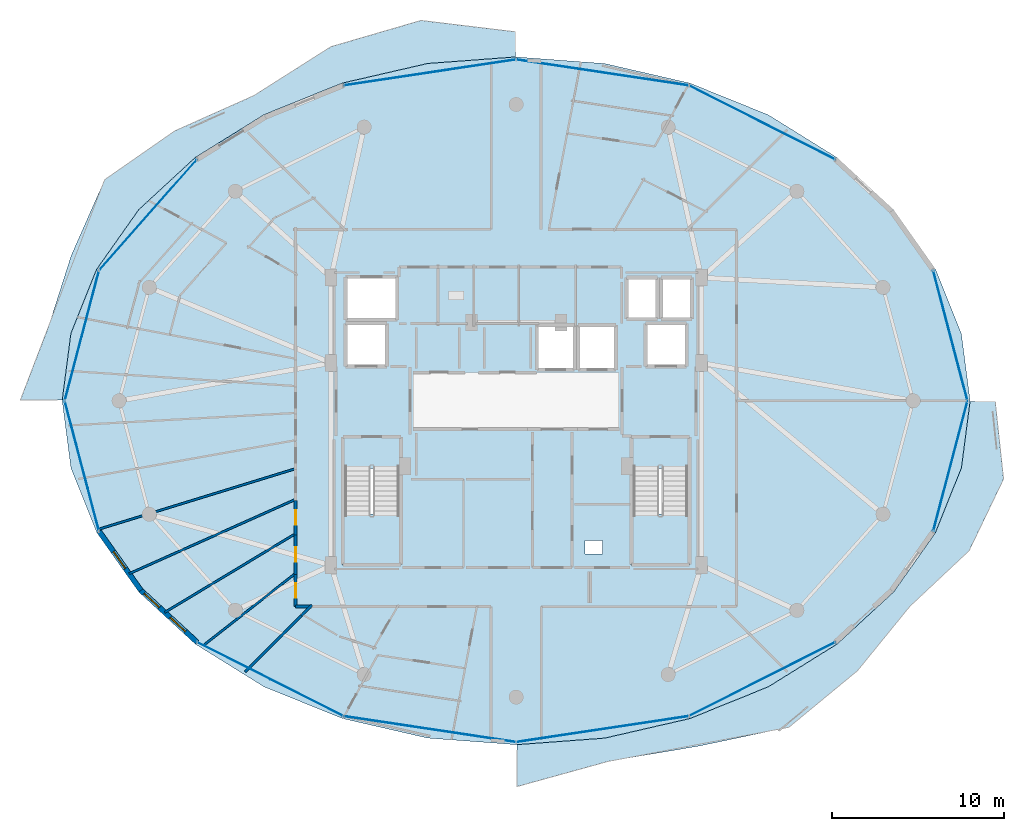
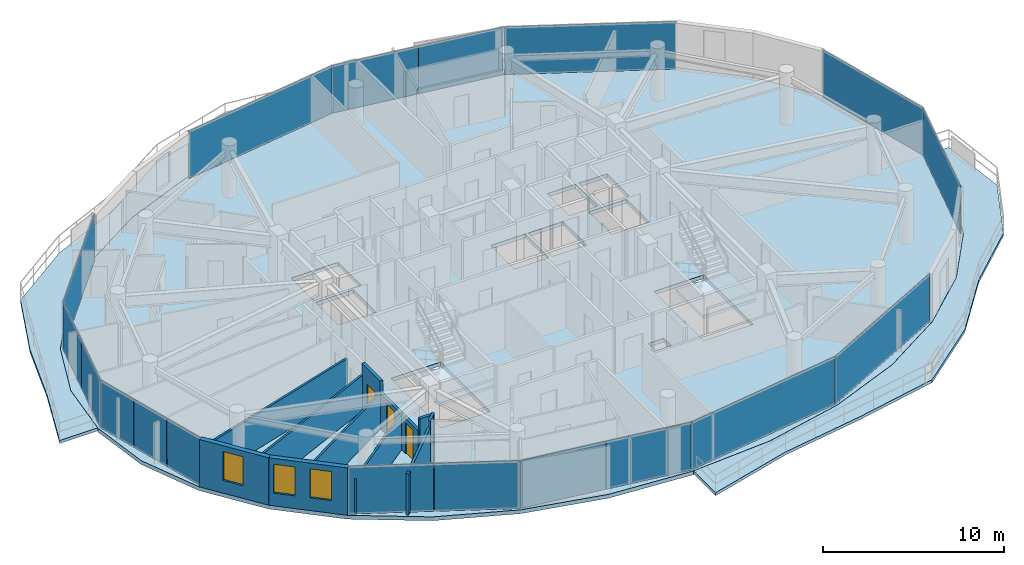
# One storey, part 16 of 25: 18 plates, 12 walls, 5 slabs, 3 doors, 3 windows, 6 openings, 6 elements without a shape of their own.
"""IFC4 building model written with IfcOpenShell, lengths in metres."""

from ifc_helpers import new_model, si_unit, direction, frame, frame_2d, origin, origin_2d, place, context, subcontext, project, spatial, polyline, rectangle, outline, extrude, material, layer, layer_set, type_object, element, fill, aggregate, save


model = new_model("IFC4")

# Units and contexts
model_context = context("Model", 3, precision=1e-05, world=origin(), true_north=direction((0.0, 1.0)))
body_context = subcontext(model_context, "Body", "Model", "MODEL_VIEW")
ifc_project = project(units=[si_unit("LENGTHUNIT", "METRE"), si_unit("AREAUNIT", "SQUARE_METRE"), si_unit("VOLUMEUNIT", "CUBIC_METRE"), si_unit("PLANEANGLEUNIT", "RADIAN"), si_unit("MASSUNIT", "GRAM", prefix="KILO")], contexts=[model_context])

# Site, building, storey
site_placement = place(None, origin())
site = spatial("IfcSite", under=ifc_project, at=site_placement, CompositionType="ELEMENT")
building_placement = place(site_placement, origin())
building = spatial("IfcBuilding", under=site, at=building_placement, Name="Vorneva Point Tower", CompositionType="ELEMENT")
storey_placement = place(building_placement, frame((0.0, 0.0, 276.85009765625)))
storey = spatial("IfcBuildingStorey", under=building, at=storey_placement, Name="L75", CompositionType="ELEMENT", Elevation=276.85009765625)

# Curtain wall, plates
ifc_material_1 = material(Name="Pale anodised aluminium", Category="aluminium")
curtain_wall_type = type_object("IfcCurtainWallType", Name="CW-RES-SYS", PredefinedType="NOTDEFINED", material=ifc_material_1)
curtain_wall_1_placement = place(storey_placement, origin())
curtain_wall_1 = element("IfcCurtainWall", 1, at=curtain_wall_1_placement, inside=storey, type_object=curtain_wall_type, Name="L75 Unitised Curtain Wall CW-L75-R01", PredefinedType="NOTDEFINED")
ifc_material_2 = material(Name="Double low-e laminated glass IGU", Category="glass")
ifc_layer_1 = layer(ifc_material_2, 0.035888671875)
ifc_layer_set_1 = layer_set([ifc_layer_1], Name="Double low-e laminated glass IGU")
plate_type = type_object("IfcPlateType", Name="CW-PNL-VIS", PredefinedType="CURTAIN_PANEL", material=ifc_layer_set_1)
plate_1_placement = place(storey_placement, frame((63.202880859375, 22.20947265625, -0.02001953125), z_axis=(0.0, 0.0, 1.0), x_axis=(0.254416284022, 0.967094801157, 0.0)))
plate_1 = element("IfcPlate", 2, at=plate_1_placement, type_object=plate_type, Name="CW-L75-R01 Glazed Panel 01", PredefinedType="CURTAIN_PANEL", context=body_context, shape_type="SweptSolid", body=[
    extrude(rectangle(XDim=7.7890625, YDim=0.035888671875, at=origin_2d()), origin(), (0.0, 0.0, 1.0), 3.22998046875),
])
plate_2_placement = place(storey_placement, frame((63.202880859375, 29.79052734375, -0.02001953125), z_axis=(0.0, 0.0, 1.0), x_axis=(-0.254416284022, 0.967094801157, 0.0)))
plate_2 = element("IfcPlate", 3, at=plate_2_placement, type_object=plate_type, Name="CW-L75-R01 Glazed Panel 02", PredefinedType="CURTAIN_PANEL", context=body_context, shape_type="SweptSolid", body=[
    extrude(rectangle(XDim=7.7890625, YDim=0.035888671875, at=origin_2d()), origin(), (0.0, 0.0, 1.0), 3.22998046875),
])
aggregate(curtain_wall_1, [plate_1, plate_2])

curtain_wall_2_placement = place(storey_placement, origin())
curtain_wall_2 = element("IfcCurtainWall", 4, at=curtain_wall_2_placement, inside=storey, type_object=curtain_wall_type, Name="L75 Unitised Curtain Wall CW-L75-R02", PredefinedType="NOTDEFINED")
plate_3_placement = place(storey_placement, frame((52.2763671875, 42.15478515625, -0.02001953125), z_axis=(0.0, 0.0, 1.0), x_axis=(-0.892554339087, 0.450939853836, 0.0)))
plate_3 = element("IfcPlate", 5, at=plate_3_placement, type_object=plate_type, Name="CW-L75-R02 Glazed Panel 01", PredefinedType="CURTAIN_PANEL", context=body_context, shape_type="SweptSolid", body=[
    extrude(rectangle(XDim=9.47314453125, YDim=0.035888671875, at=origin_2d()), origin(), (0.0, 0.0, 1.0), 3.22998046875),
])
plate_4_placement = place(storey_placement, frame((45.519775390625, 44.67919921875, -0.02001953125), z_axis=(0.0, 0.0, 1.0), x_axis=(-0.988878712919, 0.148724211669, 0.0)))
plate_4 = element("IfcPlate", 6, at=plate_4_placement, type_object=plate_type, Name="CW-L75-R02 Glazed Panel 02A", PredefinedType="CURTAIN_PANEL", context=body_context, shape_type="SweptSolid", body=[
    extrude(rectangle(XDim=5.01953125, YDim=0.035888671875, at=origin_2d()), origin(), (0.0, 0.0, 1.0), 3.22998046875),
])
plate_5_placement = place(storey_placement, frame((40.506591796875, 45.43310546875, -0.02001953125), z_axis=(0.0, 0.0, 1.0), x_axis=(-0.988878712919, 0.148724211669, 0.0)))
plate_5 = element("IfcPlate", 7, at=plate_5_placement, type_object=plate_type, Name="CW-L75-R02 Glazed Panel 02B", PredefinedType="CURTAIN_PANEL", context=body_context, shape_type="SweptSolid", body=[
    extrude(rectangle(XDim=5.01953125, YDim=0.035888671875, at=origin_2d()), origin(), (0.0, 0.0, 1.0), 3.22998046875),
])
plate_6_placement = place(storey_placement, frame((32.98681640625, 45.055908203125, -0.02001953125), z_axis=(0.0, 0.0, 1.0), x_axis=(-0.988878712919, -0.148724211669, 0.0)))
plate_6 = element("IfcPlate", 8, at=plate_6_placement, type_object=plate_type, Name="CW-L75-R02 Glazed Panel 03", PredefinedType="CURTAIN_PANEL", context=body_context, shape_type="SweptSolid", body=[
    extrude(rectangle(XDim=10.089111328125, YDim=0.035888671875, at=origin_2d()), origin(), (0.0, 0.0, 1.0), 3.22998046875),
])
aggregate(curtain_wall_2, [plate_3, plate_4, plate_5, plate_6])

curtain_wall_3_placement = place(storey_placement, origin())
curtain_wall_3 = element("IfcCurtainWall", 9, at=curtain_wall_3_placement, inside=storey, type_object=curtain_wall_type, Name="L75 Unitised Curtain Wall CW-L75-R03", PredefinedType="NOTDEFINED")
plate_7_placement = place(storey_placement, frame((16.634033203125, 36.79443359375, -0.02001953125), z_axis=(0.0, 0.0, 1.0), x_axis=(-0.662188570806, -0.749337238294, 0.0)))
plate_7 = element("IfcPlate", 10, at=plate_7_placement, type_object=plate_type, Name="CW-L75-R03 Glazed Panel 01", PredefinedType="CURTAIN_PANEL", context=body_context, shape_type="SweptSolid", body=[
    extrude(rectangle(XDim=8.526611328125, YDim=0.035888671875, at=origin_2d()), origin(), (0.0, 0.0, 1.0), 3.22998046875),
])
plate_8_placement = place(storey_placement, frame((13.2958984375, 31.685791015625, -0.02001953125), z_axis=(0.0, 0.0, 1.0), x_axis=(-0.254416284022, -0.967094801157, 0.0)))
plate_8 = element("IfcPlate", 11, at=plate_8_placement, type_object=plate_type, Name="CW-L75-R03 Glazed Panel 02A", PredefinedType="CURTAIN_PANEL", context=body_context, shape_type="SweptSolid", body=[
    extrude(rectangle(XDim=3.869384765625, YDim=0.035888671875, at=origin_2d()), origin(), (0.0, 0.0, 1.0), 3.22998046875),
])
plate_9_placement = place(storey_placement, frame((12.298583984375, 27.895263671875, -0.02001953125), z_axis=(0.0, 0.0, 1.0), x_axis=(-0.254416284022, -0.967094801157, 0.0)))
plate_9 = element("IfcPlate", 12, at=plate_9_placement, type_object=plate_type, Name="CW-L75-R03 Glazed Panel 02B", PredefinedType="CURTAIN_PANEL", context=body_context, shape_type="SweptSolid", body=[
    extrude(rectangle(XDim=3.869384765625, YDim=0.035888671875, at=origin_2d()), origin(), (0.0, 0.0, 1.0), 3.22998046875),
])
plate_10_placement = place(storey_placement, frame((12.13232421875, 24.736572265625, -0.02001953125), z_axis=(0.0, 0.0, 1.0), x_axis=(0.254416284022, -0.967094801157, 0.0)))
plate_10 = element("IfcPlate", 13, at=plate_10_placement, type_object=plate_type, Name="CW-L75-R03 Glazed Panel 03A", PredefinedType="CURTAIN_PANEL", context=body_context, shape_type="SweptSolid", body=[
    extrude(rectangle(XDim=2.56298828125, YDim=0.035888671875, at=origin_2d()), origin(), (0.0, 0.0, 1.0), 3.22998046875),
])
plate_11_placement = place(storey_placement, frame((12.797119140625, 22.20947265625, -0.02001953125), z_axis=(0.0, 0.0, 1.0), x_axis=(0.254416284022, -0.967094801157, 0.0)))
plate_11 = element("IfcPlate", 14, at=plate_11_placement, type_object=plate_type, Name="CW-L75-R03 Glazed Panel 03B", PredefinedType="CURTAIN_PANEL", context=body_context, shape_type="SweptSolid", body=[
    extrude(rectangle(XDim=2.56298828125, YDim=0.035888671875, at=origin_2d()), origin(), (0.0, 0.0, 1.0), 3.22998046875),
])
plate_12_placement = place(storey_placement, frame((13.4619140625, 19.6826171875, -0.02001953125), z_axis=(0.0, 0.0, 1.0), x_axis=(0.254416284022, -0.967094801157, 0.0)))
plate_12 = element("IfcPlate", 15, at=plate_12_placement, type_object=plate_type, Name="CW-L75-R03 Glazed Panel 03C", PredefinedType="CURTAIN_PANEL", context=body_context, shape_type="SweptSolid", body=[
    extrude(rectangle(XDim=2.56298828125, YDim=0.035888671875, at=origin_2d()), origin(), (0.0, 0.0, 1.0), 3.22998046875),
])
aggregate(curtain_wall_3, [plate_7, plate_8, plate_9, plate_10, plate_11, plate_12])

curtain_wall_4_placement = place(storey_placement, origin())
curtain_wall_4 = element("IfcCurtainWall", 16, at=curtain_wall_4_placement, inside=storey, type_object=curtain_wall_type, Name="L75 Unitised Curtain Wall CW-L75-R04", PredefinedType="NOTDEFINED")
plate_13_placement = place(storey_placement, frame((21.598876953125, 10.918701171875, -0.02001953125), z_axis=(0.0, 0.0, 1.0), x_axis=(0.892554339087, -0.450939853836, 0.0)))
plate_13 = element("IfcPlate", 17, at=plate_13_placement, type_object=plate_type, Name="CW-L75-R04 Glazed Panel 01A", PredefinedType="CURTAIN_PANEL", context=body_context, shape_type="SweptSolid", body=[
    extrude(rectangle(XDim=4.71142578125, YDim=0.035888671875, at=origin_2d()), origin(), (0.0, 0.0, 1.0), 3.22998046875),
])
plate_14_placement = place(storey_placement, frame((25.8486328125, 8.771484375, -0.02001953125), z_axis=(0.0, 0.0, 1.0), x_axis=(0.892554339087, -0.450939853836, 0.0)))
plate_14 = element("IfcPlate", 18, at=plate_14_placement, type_object=plate_type, Name="CW-L75-R04 Glazed Panel 01B", PredefinedType="CURTAIN_PANEL", context=body_context, shape_type="SweptSolid", body=[
    extrude(rectangle(XDim=4.71142578125, YDim=0.035888671875, at=origin_2d()), origin(), (0.0, 0.0, 1.0), 3.22998046875),
])
plate_15_placement = place(storey_placement, frame((30.480224609375, 7.32080078125, -0.02001953125), z_axis=(0.0, 0.0, 1.0), x_axis=(0.988878712919, -0.148724211669, 0.0)))
plate_15 = element("IfcPlate", 19, at=plate_15_placement, type_object=plate_type, Name="CW-L75-R04 Glazed Panel 02A", PredefinedType="CURTAIN_PANEL", context=body_context, shape_type="SweptSolid", body=[
    extrude(rectangle(XDim=5.01953125, YDim=0.035888671875, at=origin_2d()), origin(), (0.0, 0.0, 1.0), 3.22998046875),
])
plate_16_placement = place(storey_placement, frame((35.493408203125, 6.56689453125, -0.02001953125), z_axis=(0.0, 0.0, 1.0), x_axis=(0.988878712919, -0.148724211669, 0.0)))
plate_16 = element("IfcPlate", 20, at=plate_16_placement, type_object=plate_type, Name="CW-L75-R04 Glazed Panel 02B", PredefinedType="CURTAIN_PANEL", context=body_context, shape_type="SweptSolid", body=[
    extrude(rectangle(XDim=5.01953125, YDim=0.035888671875, at=origin_2d()), origin(), (0.0, 0.0, 1.0), 3.22998046875),
])
plate_17_placement = place(storey_placement, frame((43.01318359375, 6.944091796875, -0.02001953125), z_axis=(0.0, 0.0, 1.0), x_axis=(0.988878712919, 0.148724211669, 0.0)))
plate_17 = element("IfcPlate", 21, at=plate_17_placement, type_object=plate_type, Name="CW-L75-R04 Glazed Panel 03", PredefinedType="CURTAIN_PANEL", context=body_context, shape_type="SweptSolid", body=[
    extrude(rectangle(XDim=10.089111328125, YDim=0.035888671875, at=origin_2d()), origin(), (0.0, 0.0, 1.0), 3.22998046875),
])
plate_18_placement = place(storey_placement, frame((52.2763671875, 9.84521484375, -0.02001953125), z_axis=(0.0, 0.0, 1.0), x_axis=(0.892554339087, 0.450939853836, 0.0)))
plate_18 = element("IfcPlate", 22, at=plate_18_placement, type_object=plate_type, Name="CW-L75-R04 Glazed Panel 04", PredefinedType="CURTAIN_PANEL", context=body_context, shape_type="SweptSolid", body=[
    extrude(rectangle(XDim=9.47314453125, YDim=0.035888671875, at=origin_2d()), origin(), (0.0, 0.0, 1.0), 3.22998046875),
])
aggregate(curtain_wall_4, [plate_13, plate_14, plate_15, plate_16, plate_17, plate_18])

# Slabs
ifc_material_3 = material(Name="Concrete B50 (C40/50)", Category="concrete")
ifc_layer_2 = layer(ifc_material_3, 0.199951171875)
ifc_layer_set_2 = layer_set([ifc_layer_2], Name="Concrete B50 (C40/50)")
slab_type_1 = type_object("IfcSlabType", Name="SLB-BAL-200", PredefinedType="FLOOR", material=ifc_layer_set_2)
slab_1_placement = place(storey_placement, frame((0.0, 0.0, -0.2001953125)))
element("IfcSlab", 23, at=slab_1_placement, inside=storey, type_object=slab_type_1, Name="L75 Cantilevered Wave Balcony NW", PredefinedType="FLOOR", context=body_context, shape_type="SweptSolid", body=[
    extrude(outline(polyline([(9.22412109375, 26.050048828125), (11.652587890625, 26.050048828125), (12.15234375, 29.89453125), (12.15234375, 29.894775390625), (12.152587890625, 29.895263671875), (12.152587890625, 29.8955078125), (13.652099609375, 33.639892578125), (13.65234375, 33.640380859375), (13.652587890625, 33.640625), (16.08740234375, 37.091552734375), (16.087890625, 37.091796875), (16.088134765625, 37.092041015625), (19.364990234375, 40.11669921875), (19.365234375, 40.1171875), (19.365478515625, 40.1171875), (23.358642578125, 42.599609375), (23.35888671875, 42.599609375), (23.359130859375, 42.599853515625), (27.914794921875, 44.4443359375), (27.9150390625, 44.4443359375), (27.915283203125, 44.444580078125), (32.8583984375, 45.580322265625), (32.85888671875, 45.58056640625), (32.859130859375, 45.58056640625), (37.949951171875, 45.960205078125), (37.949951171875, 47.4208984375), (32.482177734375, 48.080078125), (27.252197265625, 46.556884765625), (22.790283203125, 43.723388671875), (18.190185546875, 41.668212890625), (14.113525390625, 38.833251953125), (12.179931640625, 34.4453125), (10.833251953125, 30.241455078125), (9.22412109375, 26.050048828125)])), origin(), (0.0, 0.0, 1.0), 0.2001953125),
])
slab_2_placement = place(storey_placement, frame((0.0, 0.0, -0.2001953125)))
element("IfcSlab", 24, at=slab_2_placement, inside=storey, type_object=slab_type_1, Name="L75 Cantilevered Wave Balcony SE", PredefinedType="FLOOR", context=body_context, shape_type="SweptSolid", body=[
    extrude(outline(polyline([(66.292724609375, 21.462890625), (65.810302734375, 25.949951171875), (64.347412109375, 25.949951171875), (63.84765625, 22.10546875), (63.84765625, 22.105224609375), (63.847412109375, 22.104736328125), (63.847412109375, 22.1044921875), (62.347900390625, 18.360107421875), (62.34765625, 18.359619140625), (62.347412109375, 18.359375), (59.91259765625, 14.908447265625), (59.912109375, 14.908203125), (59.911865234375, 14.907958984375), (56.635009765625, 11.88330078125), (56.634765625, 11.8828125), (56.634521484375, 11.8828125), (52.641357421875, 9.400390625), (52.64111328125, 9.400390625), (52.640869140625, 9.400146484375), (48.085205078125, 7.5556640625), (48.0849609375, 7.5556640625), (48.084716796875, 7.555419921875), (43.1416015625, 6.419677734375), (43.14111328125, 6.41943359375), (43.140869140625, 6.41943359375), (38.050048828125, 6.039794921875), (38.050048828125, 3.60888671875), (43.344482421875, 5.07080078125), (48.58740234375, 5.954345703125), (53.829833984375, 7.051513671875), (57.809814453125, 10.331787109375), (60.856689453125, 14.074951171875), (64.290283203125, 17.297607421875), (66.292724609375, 21.462890625)])), origin(), (0.0, 0.0, 1.0), 0.2001953125),
])

# Stair, slab
stair_type = type_object("IfcStairType", Name="ST-DOG-1500", PredefinedType="HALF_TURN_STAIR", material=ifc_material_3)
stair_1_placement = place(storey_placement, origin())
stair_1 = element("IfcStair", 25, at=stair_1_placement, inside=storey, type_object=stair_type, Name="L75 ST1", PredefinedType="HALF_TURN_STAIR")
ifc_layer_3 = layer(ifc_material_3, 0.199951171875)
ifc_layer_set_3 = layer_set([ifc_layer_3], Name="Concrete B50 (C40/50)")
slab_type_2 = type_object("IfcSlabType", Name="SLB-LND-200", PredefinedType="LANDING", material=ifc_layer_set_3)
slab_3_placement = place(storey_placement, frame((0.0, 0.0, 1.574951171875)))
slab_3 = element("IfcSlab", 26, at=slab_3_placement, type_object=slab_type_2, Name="ST1 landing 1", PredefinedType="LANDING", context=body_context, shape_type="SweptSolid", body=[
    extrude(outline(polyline([(27.929931640625, 16.47998046875), (31.320068359375, 16.47998046875), (31.320068359375, 19.43994140625), (27.929931640625, 19.43994140625), (27.929931640625, 16.47998046875)])), origin(), (0.0, 0.0, 1.0), 0.199951171875),
])
aggregate(stair_1, [slab_3])

stair_2_placement = place(storey_placement, origin())
stair_2 = element("IfcStair", 27, at=stair_2_placement, inside=storey, type_object=stair_type, Name="L75 ST2", PredefinedType="HALF_TURN_STAIR")
slab_4_placement = place(storey_placement, frame((0.0, 0.0, 1.574951171875)))
slab_4 = element("IfcSlab", 28, at=slab_4_placement, type_object=slab_type_2, Name="ST2 landing 1", PredefinedType="LANDING", context=body_context, shape_type="SweptSolid", body=[
    extrude(outline(polyline([(44.679931640625, 16.47998046875), (48.070068359375, 16.47998046875), (48.070068359375, 19.43994140625), (44.679931640625, 19.43994140625), (44.679931640625, 16.47998046875)])), origin(), (0.0, 0.0, 1.0), 0.199951171875),
])
aggregate(stair_2, [slab_4])

# Slab
ifc_layer_4 = layer(ifc_material_3, 0.260009765625)
ifc_layer_set_4 = layer_set([ifc_layer_4], Name="Concrete B50 (C40/50)")
slab_type_3 = type_object("IfcSlabType", Name="SLB-TYP-260", PredefinedType="FLOOR", material=ifc_layer_set_4)
slab_5_placement = place(storey_placement, frame((0.0, 0.0, -0.260009765625)))
element("IfcSlab", 29, at=slab_5_placement, inside=storey, type_object=slab_type_3, Name="L75 Structural Floor Plate", PredefinedType="FLOOR", context=body_context, shape_type="SweptSolid", body=[
    extrude(outline(polyline([(64.35009765625, 26.0), (63.84375, 29.89404296875), (62.34423828125, 33.638427734375), (59.9091796875, 37.089111328125), (56.63232421875, 40.114013671875), (52.639404296875, 42.59619140625), (48.083740234375, 44.440673828125), (43.140625, 45.576416015625), (38.0, 45.9599609375), (32.859375, 45.576416015625), (27.916259765625, 44.440673828125), (23.360595703125, 42.59619140625), (19.36767578125, 40.114013671875), (16.0908203125, 37.089111328125), (13.65576171875, 33.638427734375), (12.15625, 29.89404296875), (11.64990234375, 26.0), (12.15625, 22.10595703125), (13.65576171875, 18.361572265625), (16.0908203125, 14.910888671875), (19.36767578125, 11.885986328125), (23.360595703125, 9.40380859375), (27.916259765625, 7.559326171875), (32.859375, 6.423583984375), (38.0, 6.0400390625), (43.140625, 6.423583984375), (48.083740234375, 7.559326171875), (52.639404296875, 9.40380859375), (56.63232421875, 11.885986328125), (59.9091796875, 14.910888671875), (62.34423828125, 18.361572265625), (63.84375, 22.10595703125), (64.35009765625, 26.0)]), holes=[polyline([(39.199951171875, 27.800048828125), (41.39990234375, 27.800048828125), (41.39990234375, 30.39990234375), (39.199951171875, 30.39990234375), (39.199951171875, 27.800048828125)]), polyline([(41.60009765625, 27.800048828125), (43.800048828125, 27.800048828125), (43.800048828125, 30.39990234375), (41.60009765625, 30.39990234375), (41.60009765625, 27.800048828125)]), polyline([(44.39990234375, 30.739990234375), (46.199951171875, 30.739990234375), (46.199951171875, 33.159912109375), (44.39990234375, 33.159912109375), (44.39990234375, 30.739990234375)]), polyline([(46.39990234375, 30.739990234375), (48.199951171875, 30.739990234375), (48.199951171875, 33.159912109375), (46.39990234375, 33.159912109375), (46.39990234375, 30.739990234375)]), polyline([(28.10009765625, 28.0), (30.5, 28.0), (30.5, 30.5), (28.10009765625, 30.5), (28.10009765625, 28.0)]), polyline([(45.5, 28.0), (47.89990234375, 28.0), (47.89990234375, 30.5), (45.5, 30.5), (45.5, 28.0)]), polyline([(28.10009765625, 30.699951171875), (31.10009765625, 30.699951171875), (31.10009765625, 33.199951171875), (28.10009765625, 33.199951171875), (28.10009765625, 30.699951171875)]), polyline([(28.050048828125, 16.60009765625), (31.199951171875, 16.60009765625), (31.199951171875, 22.080078125), (28.050048828125, 22.080078125), (28.050048828125, 16.60009765625)]), polyline([(44.800048828125, 16.60009765625), (47.949951171875, 16.60009765625), (47.949951171875, 22.080078125), (44.800048828125, 22.080078125), (44.800048828125, 16.60009765625)]), polyline([(42.0, 17.10009765625), (43.0, 17.10009765625), (43.0, 17.89990234375), (42.0, 17.89990234375), (42.0, 17.10009765625)])]), origin(), (0.0, 0.0, 1.0), 0.260009765625),
])

# Wall, opening, window
ifc_material_4 = material(Name="Precast concrete B50 (C40/50)", Category="concrete")
ifc_layer_5 = layer(ifc_material_4, 0.300048828125)
ifc_layer_set_5 = layer_set([ifc_layer_5], Name="Precast concrete B50 (C40/50)")
wall_type_1 = type_object("IfcWallType", Name="WL-EXT-300", PredefinedType="STANDARD", material=ifc_layer_set_5)
wall_1_placement = place(storey_placement, frame((13.79443359375, 18.4189453125, 0.0), z_axis=(0.0, 0.0, 1.0), x_axis=(0.577261247247, -0.816559521668, 0.0)))
wall_1 = element("IfcWall", 30, at=wall_1_placement, inside=storey, type_object=wall_type_1, Name="L75 Pale-Metal Facade Spandrel Wall 10.1", PredefinedType="STANDARD", context=body_context, shape_type="SweptSolid", body=[
    extrude(rectangle(XDim=4.194091796875, YDim=0.300048828125, at=frame_2d((2.09716796875, 0.0))), origin(), (0.0, 0.0, 1.0), 3.18994140625),
])
opening_1_placement = place(wall_1_placement, frame((1.43798828125, 0.0, 0.85009765625)))
opening_1 = element("IfcOpeningElement", 31, at=opening_1_placement, cuts=wall_1, Name="Opening W-04", PredefinedType="OPENING", context=body_context, shape_type="SweptSolid", body=[
    extrude(rectangle(XDim=1.199951171875, YDim=1.949951171875, at=frame_2d((0.60009765625, 0.97509765625))), frame((0.0, 0.1650390625, 0.0), z_axis=(0.0, -1.0, 0.0), x_axis=(1.0, 0.0, 0.0)), (0.0, 0.0, 1.0), 0.329833984375),
])
window_type = type_object("IfcWindowType", Name="WN-RES-1200", PartitioningType="SINGLE_PANEL", PredefinedType="WINDOW", material=ifc_material_2)
window_1_placement = place(opening_1_placement, origin())
window_1 = element("IfcWindow", 32, at=window_1_placement, inside=storey, type_object=window_type, Name="L75 Dwelling Vision Window 01", OverallHeight=1.949951171875, OverallWidth=1.199951171875, PartitioningType="SINGLE_PANEL", PredefinedType="WINDOW", context=body_context, shape_type="SweptSolid", body=[
    extrude(rectangle(XDim=1.199951171875, YDim=1.949951171875, at=frame_2d((0.60009765625, 0.97509765625))), frame((0.0, 0.030029296875, 0.0), z_axis=(0.0, -1.0, 0.0), x_axis=(1.0, 0.0, 0.0)), (0.0, 0.0, 1.0), 0.06005859375),
])
fill(opening_1, window_1)

# Wall, openings, windows
wall_2_placement = place(storey_placement, frame((16.215576171875, 14.994140625, 0.0), z_axis=(0.0, 0.0, 1.0), x_axis=(0.735445373611, -0.677584018727, 0.0)))
wall_2 = element("IfcWall", 33, at=wall_2_placement, inside=storey, type_object=wall_type_1, Name="L75 Pale-Metal Facade Spandrel Wall 10.2", PredefinedType="STANDARD", context=body_context, shape_type="SweptSolid", body=[
    extrude(rectangle(XDim=4.430419921875, YDim=0.300048828125, at=frame_2d((2.21533203125, 0.0))), origin(), (0.0, 0.0, 1.0), 3.18994140625),
])
opening_2_placement = place(wall_2_placement, frame((0.258056640625, 0.0, 0.85009765625)))
opening_2 = element("IfcOpeningElement", 34, at=opening_2_placement, cuts=wall_2, Name="Opening W-04", PredefinedType="OPENING", context=body_context, shape_type="SweptSolid", body=[
    extrude(rectangle(XDim=1.199951171875, YDim=1.949951171875, at=frame_2d((0.60009765625, 0.97509765625))), frame((0.0, 0.1650390625, 0.0), z_axis=(0.0, -1.0, 0.0), x_axis=(1.0, 0.0, 0.0)), (0.0, 0.0, 1.0), 0.329833984375),
])
opening_3_placement = place(wall_2_placement, frame((2.3232421875, 0.0, 0.85009765625)))
opening_3 = element("IfcOpeningElement", 35, at=opening_3_placement, cuts=wall_2, Name="Opening W-04", PredefinedType="OPENING", context=body_context, shape_type="SweptSolid", body=[
    extrude(rectangle(XDim=1.199951171875, YDim=1.949951171875, at=frame_2d((0.60009765625, 0.97509765625))), frame((0.0, 0.1650390625, 0.0), z_axis=(0.0, -1.0, 0.0), x_axis=(1.0, 0.0, 0.0)), (0.0, 0.0, 1.0), 0.329833984375),
])
window_2_placement = place(opening_2_placement, origin())
window_2 = element("IfcWindow", 36, at=window_2_placement, inside=storey, type_object=window_type, Name="L75 Dwelling Vision Window 02", OverallHeight=1.949951171875, OverallWidth=1.199951171875, PartitioningType="SINGLE_PANEL", PredefinedType="WINDOW", context=body_context, shape_type="SweptSolid", body=[
    extrude(rectangle(XDim=1.199951171875, YDim=1.949951171875, at=frame_2d((0.60009765625, 0.97509765625))), frame((0.0, 0.030029296875, 0.0), z_axis=(0.0, -1.0, 0.0), x_axis=(1.0, 0.0, 0.0)), (0.0, 0.0, 1.0), 0.06005859375),
])
fill(opening_2, window_2)
window_3_placement = place(opening_3_placement, origin())
window_3 = element("IfcWindow", 37, at=window_3_placement, inside=storey, type_object=window_type, Name="L75 Dwelling Vision Window 03", OverallHeight=1.949951171875, OverallWidth=1.199951171875, PartitioningType="SINGLE_PANEL", PredefinedType="WINDOW", context=body_context, shape_type="SweptSolid", body=[
    extrude(rectangle(XDim=1.199951171875, YDim=1.949951171875, at=frame_2d((0.60009765625, 0.97509765625))), frame((0.0, 0.030029296875, 0.0), z_axis=(0.0, -1.0, 0.0), x_axis=(1.0, 0.0, 0.0)), (0.0, 0.0, 1.0), 0.06005859375),
])
fill(opening_3, window_3)

# Walls
ifc_material_5 = material(Name="Fire-rated acoustic gypsum stud partition", Category="gypsum")
ifc_layer_6 = layer(ifc_material_5, 0.125)
ifc_layer_set_6 = layer_set([ifc_layer_6], Name="Fire-rated acoustic gypsum stud partition")
wall_type_2 = type_object("IfcWallType", Name="WL-PART-125", PredefinedType="PARTITIONING", material=ifc_layer_set_6)
wall_3_placement = place(storey_placement, frame((13.7470703125, 18.5390625, 0.0), z_axis=(0.0, 0.0, 1.0), x_axis=(0.955802794564, 0.294008533725, 0.0)))
element("IfcWall", 38, at=wall_3_placement, inside=storey, type_object=wall_type_2, Name="L75 Interior Partition 091", PredefinedType="PARTITIONING", context=body_context, shape_type="SweptSolid", body=[
    extrude(rectangle(XDim=11.982421875, YDim=0.125, at=frame_2d((5.9912109375, 0.0))), origin(), (0.0, 0.0, 1.0), 2.3818359375),
])
wall_4_placement = place(storey_placement, frame((15.532958984375, 15.9619140625, 0.0), z_axis=(0.0, 0.0, 1.0), x_axis=(0.913015836792, 0.407924112756, 0.0)))
element("IfcWall", 39, at=wall_4_placement, inside=storey, type_object=wall_type_2, Name="L75 Interior Partition 092", PredefinedType="PARTITIONING", context=body_context, shape_type="SweptSolid", body=[
    extrude(rectangle(XDim=10.587890625, YDim=0.125, at=frame_2d((5.2939453125, 0.0))), origin(), (0.0, 0.0, 1.0), 2.3818359375),
])
wall_5_placement = place(storey_placement, frame((17.60205078125, 13.719970703125, 0.0), z_axis=(0.0, 0.0, 1.0), x_axis=(0.856734134601, 0.515758298633, 0.0)))
element("IfcWall", 40, at=wall_5_placement, inside=storey, type_object=wall_type_2, Name="L75 Interior Partition 093", PredefinedType="PARTITIONING", context=body_context, shape_type="SweptSolid", body=[
    extrude(rectangle(XDim=8.868408203125, YDim=0.125, at=frame_2d((4.43408203125, 0.0))), origin(), (0.0, 0.0, 1.0), 2.3818359375),
])
wall_6_placement = place(storey_placement, frame((19.819091796875, 11.781982421875, 0.0), z_axis=(0.0, 0.0, 1.0), x_axis=(0.78765580417, 0.61611552014, 0.0)))
element("IfcWall", 41, at=wall_6_placement, inside=storey, type_object=wall_type_2, Name="L75 Interior Partition 094", PredefinedType="PARTITIONING", context=body_context, shape_type="SweptSolid", body=[
    extrude(rectangle(XDim=6.83154296875, YDim=0.125, at=frame_2d((3.415771484375, 0.0))), origin(), (0.0, 0.0, 1.0), 2.3818359375),
])
ifc_layer_7 = layer(ifc_material_5, 0.159912109375)
ifc_layer_set_7 = layer_set([ifc_layer_7], Name="Fire-rated acoustic gypsum stud partition")
wall_type_3 = type_object("IfcWallType", Name="WL-PART-160", PredefinedType="PARTITIONING", material=ifc_layer_set_7)
wall_7_placement = place(storey_placement, frame((22.262939453125, 10.262939453125, 0.0), z_axis=(0.0, 0.0, 1.0), x_axis=(0.707106781187, 0.707106781187, 0.0)))
element("IfcWall", 42, at=wall_7_placement, inside=storey, type_object=wall_type_3, Name="L75 Interior Partition 095", PredefinedType="PARTITIONING", context=body_context, shape_type="SweptSolid", body=[
    extrude(rectangle(XDim=4.771484375, YDim=0.159912109375, at=frame_2d((2.3857421875, 0.0))), origin(), (0.0, 0.0, 1.0), 2.77392578125),
])
wall_8_placement = place(storey_placement, frame((25.5380859375, 13.5380859375, 0.0), z_axis=(0.0, 0.0, 1.0), x_axis=(0.707106781187, 0.707106781187, 0.0)))
element("IfcWall", 43, at=wall_8_placement, inside=storey, type_object=wall_type_3, Name="L75 Interior Partition 096", PredefinedType="PARTITIONING", context=body_context, shape_type="SweptSolid", body=[
    extrude(rectangle(XDim=0.86376953125, YDim=0.159912109375, at=frame_2d((0.431884765625, 0.0))), origin(), (0.0, 0.0, 1.0), 3.18994140625),
])

# Wall, opening, door
ifc_material_6 = material(Name="Autoclaved aerated concrete blockwork", Category="masonry")
ifc_layer_8 = layer(ifc_material_6, 0.179931640625)
ifc_layer_set_8 = layer_set([ifc_layer_8], Name="Autoclaved aerated concrete blockwork")
wall_type_4 = type_object("IfcWallType", Name="WL-PART-180", PredefinedType="PARTITIONING", material=ifc_layer_set_8)
wall_9_placement = place(storey_placement, frame((25.199951171875, 20.215087890625, 0.0), z_axis=(0.0, 0.0, 1.0), x_axis=(0.0, -1.0, 0.0)))
wall_9 = element("IfcWall", 44, at=wall_9_placement, inside=storey, type_object=wall_type_4, Name="L75 Interior Partition 050", PredefinedType="PARTITIONING", context=body_context, shape_type="SweptSolid", body=[
    extrude(rectangle(XDim=1.990966796875, YDim=0.179931640625, at=frame_2d((0.99560546875, 0.0))), origin(), (0.0, 0.0, 1.0), 3.18994140625),
])
opening_4_placement = place(wall_9_placement, frame((0.570556640625, 0.0, 0.0)))
opening_4 = element("IfcOpeningElement", 45, at=opening_4_placement, cuts=wall_9, Name="Opening ID-02", PredefinedType="OPENING", context=body_context, shape_type="SweptSolid", body=[
    extrude(rectangle(XDim=0.85009765625, YDim=2.10009765625, at=frame_2d((0.425048828125, 1.050048828125))), frame((0.0, 0.10498046875, 0.0), z_axis=(0.0, -1.0, 0.0), x_axis=(1.0, 0.0, 0.0)), (0.0, 0.0, 1.0), 0.209716796875),
])
ifc_material_7 = material(Name="Engineered oak fire-rated door leaf", Category="wood")
door_type = type_object("IfcDoorType", Name="DR-BATH-850", OperationType="NOTDEFINED", PredefinedType="DOOR", material=ifc_material_7)
door_1_placement = place(opening_4_placement, origin())
door_1 = element("IfcDoor", 46, at=door_1_placement, inside=storey, type_object=door_type, Name="L75 Access Door L75 Circulation Corridor", OperationType="SINGLE_SWING_RIGHT", OverallHeight=2.10009765625, OverallWidth=0.85009765625, PredefinedType="DOOR", context=body_context, shape_type="SweptSolid", body=[
    extrude(rectangle(XDim=0.85009765625, YDim=2.10009765625, at=frame_2d((0.425048828125, 1.050048828125))), frame((0.0, 0.02490234375, 0.0), z_axis=(0.0, -1.0, 0.0), x_axis=(1.0, 0.0, 0.0)), (0.0, 0.0, 1.0), 0.050048828125),
])
fill(opening_4, door_1)

wall_10_placement = place(storey_placement, frame((25.199951171875, 18.22412109375, 0.0), z_axis=(0.0, 0.0, 1.0), x_axis=(0.0, -1.0, 0.0)))
wall_10 = element("IfcWall", 47, at=wall_10_placement, inside=storey, type_object=wall_type_4, Name="L75 Interior Partition 051", PredefinedType="PARTITIONING", context=body_context, shape_type="SweptSolid", body=[
    extrude(rectangle(XDim=2.30908203125, YDim=0.179931640625, at=frame_2d((1.154541015625, 0.0))), origin(), (0.0, 0.0, 1.0), 2.3818359375),
])
opening_5_placement = place(wall_10_placement, frame((0.7294921875, 0.0, 0.0)))
opening_5 = element("IfcOpeningElement", 48, at=opening_5_placement, cuts=wall_10, Name="Opening ID-02", PredefinedType="OPENING", context=body_context, shape_type="SweptSolid", body=[
    extrude(rectangle(XDim=0.85009765625, YDim=2.10009765625, at=frame_2d((0.425048828125, 1.050048828125))), frame((0.0, 0.10498046875, 0.0), z_axis=(0.0, -1.0, 0.0), x_axis=(1.0, 0.0, 0.0)), (0.0, 0.0, 1.0), 0.209716796875),
])
door_2_placement = place(opening_5_placement, origin())
door_2 = element("IfcDoor", 49, at=door_2_placement, inside=storey, type_object=door_type, Name="L75 Access Door L75 Circulation Corridor", OperationType="SINGLE_SWING_LEFT", OverallHeight=2.10009765625, OverallWidth=0.85009765625, PredefinedType="DOOR", context=body_context, shape_type="SweptSolid", body=[
    extrude(rectangle(XDim=0.85009765625, YDim=2.10009765625, at=frame_2d((0.425048828125, 1.050048828125))), frame((0.0, 0.02490234375, 0.0), z_axis=(0.0, -1.0, 0.0), x_axis=(1.0, 0.0, 0.0)), (0.0, 0.0, 1.0), 0.050048828125),
])
fill(opening_5, door_2)

wall_11_placement = place(storey_placement, frame((25.199951171875, 15.9150390625, 0.0), z_axis=(0.0, 0.0, 1.0), x_axis=(0.0, -1.0, 0.0)))
wall_11 = element("IfcWall", 50, at=wall_11_placement, inside=storey, type_object=wall_type_4, Name="L75 Interior Partition 052", PredefinedType="PARTITIONING", context=body_context, shape_type="SweptSolid", body=[
    extrude(rectangle(XDim=1.864990234375, YDim=0.179931640625, at=frame_2d((0.9326171875, 0.0))), origin(), (0.0, 0.0, 1.0), 2.3818359375),
])
opening_6_placement = place(wall_11_placement, frame((0.507568359375, 0.0, 0.0)))
opening_6 = element("IfcOpeningElement", 51, at=opening_6_placement, cuts=wall_11, Name="Opening ID-02", PredefinedType="OPENING", context=body_context, shape_type="SweptSolid", body=[
    extrude(rectangle(XDim=0.85009765625, YDim=2.10009765625, at=frame_2d((0.425048828125, 1.050048828125))), frame((0.0, 0.10498046875, 0.0), z_axis=(0.0, -1.0, 0.0), x_axis=(1.0, 0.0, 0.0)), (0.0, 0.0, 1.0), 0.209716796875),
])
door_3_placement = place(opening_6_placement, origin())
door_3 = element("IfcDoor", 52, at=door_3_placement, inside=storey, type_object=door_type, Name="L75 Access Door L75 Circulation Corridor", OperationType="SINGLE_SWING_RIGHT", OverallHeight=2.10009765625, OverallWidth=0.85009765625, PredefinedType="DOOR", context=body_context, shape_type="SweptSolid", body=[
    extrude(rectangle(XDim=0.85009765625, YDim=2.10009765625, at=frame_2d((0.425048828125, 1.050048828125))), frame((0.0, 0.02490234375, 0.0), z_axis=(0.0, -1.0, 0.0), x_axis=(1.0, 0.0, 0.0)), (0.0, 0.0, 1.0), 0.050048828125),
])
fill(opening_6, door_3)

# Wall
wall_12_placement = place(storey_placement, frame((25.199951171875, 14.050048828125, 0.0), z_axis=(0.0, 0.0, 1.0), x_axis=(1.0, 0.0, 0.0)))
element("IfcWall", 53, at=wall_12_placement, inside=storey, type_object=wall_type_4, Name="L75 Interior Partition 053", PredefinedType="PARTITIONING", context=body_context, shape_type="SweptSolid", body=[
    extrude(rectangle(XDim=0.91015625, YDim=0.179931640625, at=frame_2d((0.455078125, 0.0))), origin(), (0.0, 0.0, 1.0), 3.18994140625),
])

save(model, "model.ifc")
